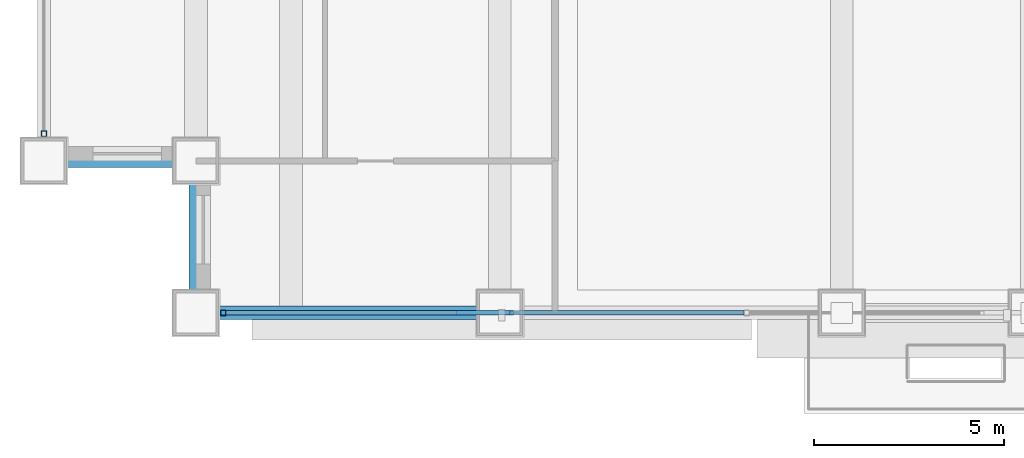
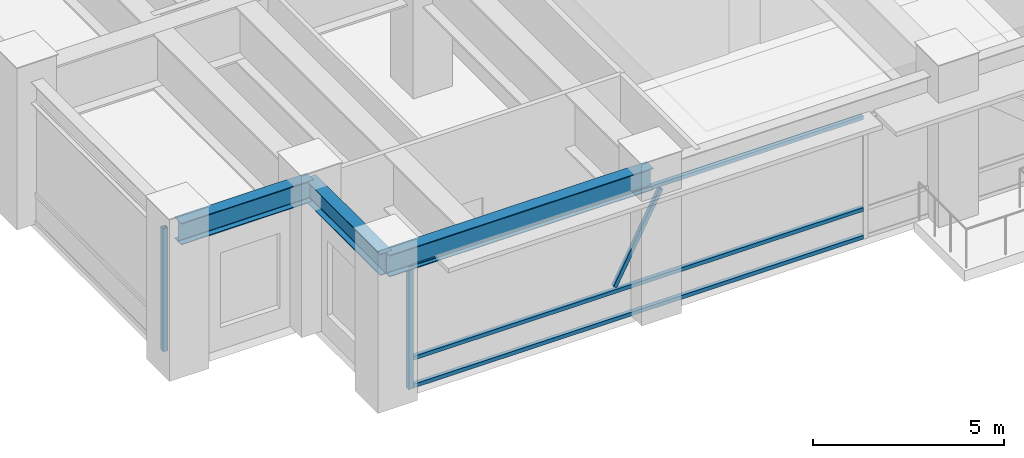
# One storey, part 2 of 34: 6 members, 3 beams, 2 elements without a shape of their own.
"""IFC4 building model written with IfcOpenShell, lengths in metres."""

from ifc_helpers import new_model, si_unit, direction, frame, origin, origin_2d, place, context, subcontext, project, spatial, hollow_rectangle, i_section, extrude, source, transform, mapped, material, material_profile, profile_set, type_object, element, aggregate, save


model = new_model("IFC4")

# Units and contexts
model_context = context("Model", 3, precision=1e-05, world=origin(), true_north=direction((0.0, 1.0)))
body_context = subcontext(model_context, "Body", "Model", "MODEL_VIEW")
ifc_project = project(units=[si_unit("LENGTHUNIT", "METRE"), si_unit("AREAUNIT", "SQUARE_METRE"), si_unit("VOLUMEUNIT", "CUBIC_METRE"), si_unit("PLANEANGLEUNIT", "RADIAN"), si_unit("MASSUNIT", "GRAM", prefix="KILO")], contexts=[model_context])

# Site, building, storey
site_placement = place(None, origin())
site = spatial("IfcSite", under=ifc_project, at=site_placement, CompositionType="ELEMENT")
building_placement = place(site_placement, origin())
building = spatial("IfcBuilding", under=site, at=building_placement, Name="Khorayat Bourse Tower", CompositionType="ELEMENT")
storey_placement = place(building_placement, frame((0.0, 0.0, 144.699951171875)))
storey = spatial("IfcBuildingStorey", under=building, at=storey_placement, Name="L33", CompositionType="ELEMENT", Elevation=144.699951171875)

# Beams
ifc_material_1 = material(Name="Steel ASTM A992 Grade 50", Category="steel")
ifc_material_profile_1 = material_profile(ifc_material_1, i_section(OverallWidth=0.35498046875, OverallDepth=0.695068359375, WebThickness=0.015380859375, FlangeThickness=0.02490234375, FilletRadius=0.01806640625, at=origin_2d()), Name="W690X217")
ifc_profile_set_1 = profile_set([ifc_material_profile_1], Name="Steel ASTM A992 Grade 50")
beam_type = type_object("IfcBeamType", Name="BM-SPAN-690", PredefinedType="SPANDREL", material=ifc_profile_set_1)
shared_shape_1 = source(origin(), body_context, "Body", "SweptSolid", [
    extrude(i_section(OverallWidth=0.35498046875, OverallDepth=0.695068359375, WebThickness=0.015380859375, FlangeThickness=0.02490234375, FilletRadius=0.01806640625, at=origin_2d()), origin(), (0.0, 0.0, 1.0), 8.0),
])
beam_placement = place(storey_placement, frame((-28.0, -32.0, 4.25244140625), z_axis=(1.0, 0.0, 0.0), x_axis=(0.0, 1.0, 0.0)))
element("IfcBeam", 1, at=beam_placement, inside=storey, type_object=beam_type, Name="L33 BM-SPAN-690 BM-L33-SPN-024", PredefinedType="SPANDREL", context=body_context, shape_type="MappedRepresentation", body=[
    mapped(shared_shape_1, transform((0.0, 0.0, 0.0), scale=1.0)),
])
shared_shape_2 = source(origin(), body_context, "Body", "SweptSolid", [
    extrude(i_section(OverallWidth=0.35498046875, OverallDepth=0.695068359375, WebThickness=0.015380859375, FlangeThickness=0.02490234375, FilletRadius=0.01806640625, at=origin_2d()), origin(), (0.0, 0.0, 1.0), 4.0),
])
for number, where, z_axis, x_axis, name in (
    (2, (-32.0, -28.0, 4.25244140625), (1.0, 0.0, 0.0), (0.0, 1.0, 0.0), "L33 BM-SPAN-690 BM-L33-SPN-062"),
    (3, (-28.0, -32.0, 4.25244140625), (0.0, 1.0, 0.0), (-1.0, 0.0, 0.0), "L33 BM-SPAN-690 BM-L33-SPN-063"),
):
    element("IfcBeam", number, at=place(storey_placement, frame(where, z_axis=z_axis, x_axis=x_axis)), inside=storey, type_object=beam_type, Name=name, PredefinedType="SPANDREL", context=body_context, shape_type="MappedRepresentation", body=[
        mapped(shared_shape_2, transform((0.0, 0.0, 0.0), scale=1.0)),
    ])

# Curtain wall, member
ifc_material_2 = material(Name="Aluminium EN AW-6063 T6", Category="aluminium")
curtain_wall_type = type_object("IfcCurtainWallType", Name="CW-SYS-05", PredefinedType="NOTDEFINED", material=ifc_material_2)
curtain_wall_1_placement = place(storey_placement, origin())
curtain_wall_1 = element("IfcCurtainWall", 4, at=curtain_wall_1_placement, inside=storey, type_object=curtain_wall_type, Name="L33 Curtain Wall CW-L33-S1", PredefinedType="NOTDEFINED")
ifc_material_profile_2 = material_profile(ifc_material_2, hollow_rectangle(XDim=0.139892578125, YDim=0.139892578125, WallThickness=0.006103515625, at=origin_2d()), Name="ALU 140x140x6")
ifc_profile_set_2 = profile_set([ifc_material_profile_2], Name="Aluminium EN AW-6063 T6")
member_type_1 = type_object("IfcMemberType", Name="CWM-VERT-140", PredefinedType="MULLION", material=ifc_profile_set_2)
shared_shape_3 = source(origin(), body_context, "Body", "SweptSolid", [
    extrude(hollow_rectangle(XDim=0.139892578125, YDim=0.139892578125, WallThickness=0.006103515625, at=origin_2d()), origin(), (0.0, 0.0, 1.0), 3.949951171875),
])
member_1_placement = place(storey_placement, frame((-27.280029296875, -32.0, 0.0), z_axis=(0.0, 0.0, 1.0), x_axis=(0.0, 1.0, 0.0)))
member_1 = element("IfcMember", 5, at=member_1_placement, type_object=member_type_1, Name="CW-L33-S1 Vertical Mullion 1", PredefinedType="MULLION", context=body_context, shape_type="MappedRepresentation", body=[
    mapped(shared_shape_3, transform((0.0, 0.0, 0.0), scale=1.0)),
])

curtain_wall_2_placement = place(storey_placement, origin())
curtain_wall_2 = element("IfcCurtainWall", 6, at=curtain_wall_2_placement, inside=storey, type_object=curtain_wall_type, Name="L33 Curtain Wall CW-L33-W1", PredefinedType="NOTDEFINED")
member_2_placement = place(storey_placement, frame((-32.0, -27.280029296875, 0.0), z_axis=(0.0, 0.0, 1.0), x_axis=(-1.0, 0.0, 0.0)))
member_2 = element("IfcMember", 7, at=member_2_placement, type_object=member_type_1, Name="CW-L33-W1 Vertical Mullion 1", PredefinedType="MULLION", context=body_context, shape_type="MappedRepresentation", body=[
    mapped(shared_shape_3, transform((0.0, 0.0, 0.0), scale=1.0)),
])
aggregate(curtain_wall_2, [member_2])

# Member
ifc_material_profile_3 = material_profile(ifc_material_2, hollow_rectangle(XDim=0.1201171875, YDim=0.1201171875, WallThickness=0.0048828125, at=origin_2d()), Name="ALU 120x120x5")
ifc_profile_set_3 = profile_set([ifc_material_profile_3], Name="Aluminium EN AW-6063 T6")
member_type_2 = type_object("IfcMemberType", Name="CWT-HORZ-120", PredefinedType="USERDEFINED", material=ifc_profile_set_3)
shared_shape_4 = source(origin(), body_context, "Body", "SweptSolid", [
    extrude(hollow_rectangle(XDim=0.1201171875, YDim=0.1201171875, WallThickness=0.0048828125, at=origin_2d()), origin(), (0.0, 0.0, 1.0), 13.639892578125),
])
member_3_placement = place(storey_placement, frame((-27.2099609375, -32.0, 0.06005859375), z_axis=(1.0, 0.0, 0.0), x_axis=(0.0, 1.0, 0.0)))
member_3 = element("IfcMember", 8, at=member_3_placement, type_object=member_type_2, Name="CW-L33-S1 Horizontal Transom 1-1", ObjectType="TRANSOM", PredefinedType="USERDEFINED", context=body_context, shape_type="MappedRepresentation", body=[
    mapped(shared_shape_4, transform((0.0, 0.0, 0.0), scale=1.0)),
])

member_4_placement = place(storey_placement, frame((-27.2099609375, -32.0, 0.949951171875), z_axis=(1.0, 0.0, 0.0), x_axis=(0.0, 1.0, 0.0)))
member_4 = element("IfcMember", 9, at=member_4_placement, type_object=member_type_2, Name="CW-L33-S1 Horizontal Transom 1-2", ObjectType="TRANSOM", PredefinedType="USERDEFINED", context=body_context, shape_type="MappedRepresentation", body=[
    mapped(shared_shape_4, transform((0.0, 0.0, 0.0), scale=1.0)),
])

member_5_placement = place(storey_placement, frame((-27.2099609375, -32.0, 3.89013671875), z_axis=(1.0, 0.0, 0.0), x_axis=(0.0, 1.0, 0.0)))
member_5 = element("IfcMember", 10, at=member_5_placement, type_object=member_type_2, Name="CW-L33-S1 Horizontal Transom 1-3", ObjectType="TRANSOM", PredefinedType="USERDEFINED", context=body_context, shape_type="MappedRepresentation", body=[
    mapped(shared_shape_4, transform((0.0, 0.0, 0.0), scale=1.0)),
])

ifc_material_profile_4 = material_profile(ifc_material_2, hollow_rectangle(XDim=0.1201171875, YDim=0.1201171875, WallThickness=0.0048828125, at=origin_2d()), Name="ALU 120x120x5")
ifc_profile_set_4 = profile_set([ifc_material_profile_4], Name="Aluminium EN AW-6063 T6")
member_type_3 = type_object("IfcMemberType", Name="CWM-DIAG-120", PredefinedType="MULLION", material=ifc_profile_set_4)
shared_shape_5 = source(origin(), body_context, "Body", "SweptSolid", [
    extrude(hollow_rectangle(XDim=0.1201171875, YDim=0.1201171875, WallThickness=0.0048828125, at=origin_2d()), origin(), (0.0, 0.0, 1.0), 3.005859375),
])
member_6_placement = place(storey_placement, frame((-21.090087890625, -32.0, 1.090087890625), z_axis=(0.465796644007, 0.0, 0.884891793629), x_axis=(0.0, 1.0, 0.0)))
member_6 = element("IfcMember", 11, at=member_6_placement, type_object=member_type_3, Name="CW-L33-S1 Faceted Diagonal Mullion 1", PredefinedType="MULLION", context=body_context, shape_type="MappedRepresentation", body=[
    mapped(shared_shape_5, transform((0.0, 0.0, 0.0), scale=1.0)),
])

aggregate(curtain_wall_1, [member_1, member_3, member_4, member_5, member_6])

save(model, "model.ifc")
